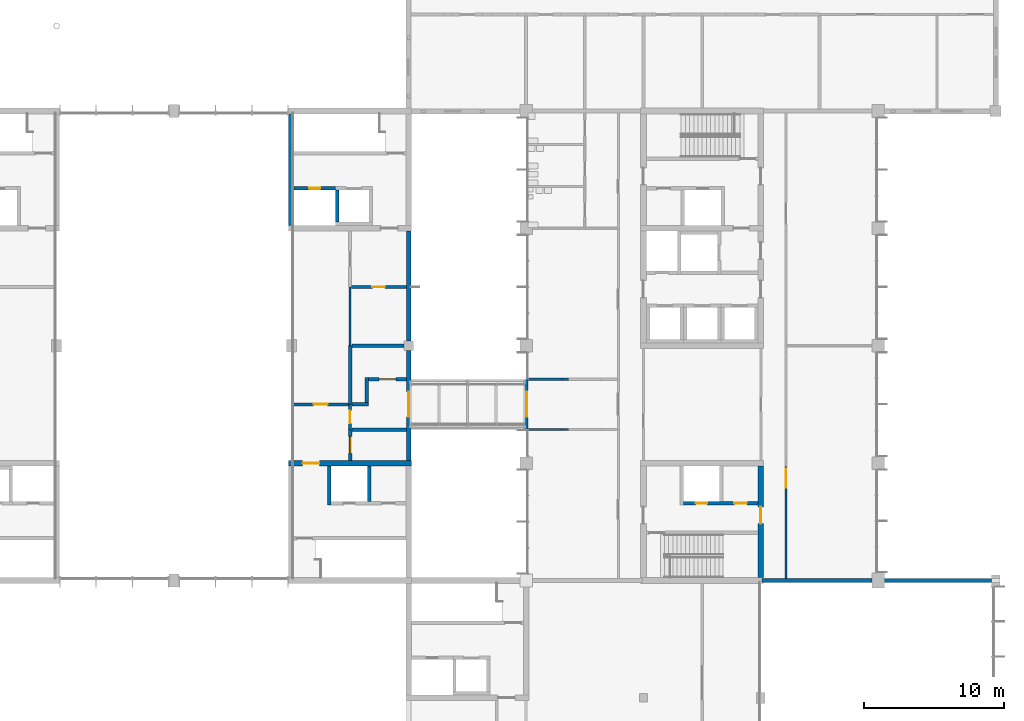
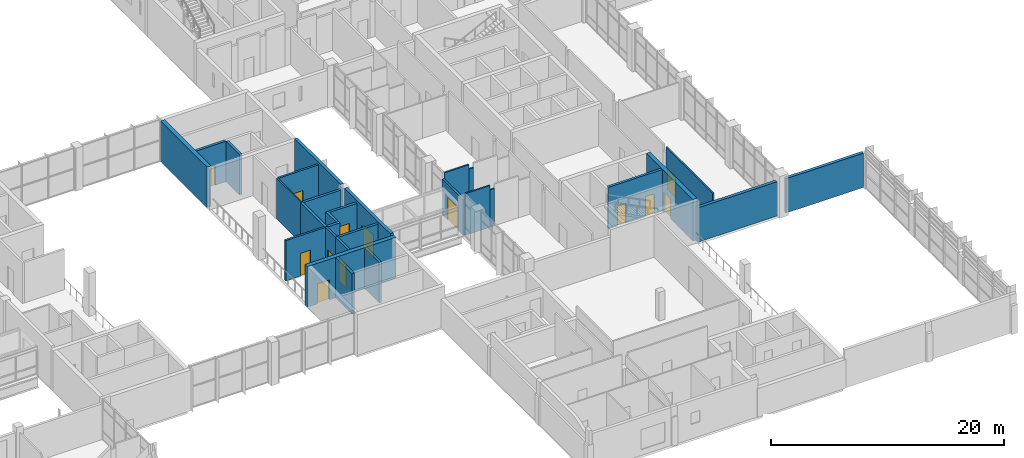
# One storey, part 40 of 70: 29 walls, 13 doors, 13 openings.
"""IFC4 building model written with IfcOpenShell, lengths in metres."""

from ifc_helpers import new_model, si_unit, direction, frame, frame_2d, origin, place, context, subcontext, project, spatial, polyline, rectangle, outline, extrude, material, layer, layer_set, type_object, element, fill, save


model = new_model("IFC4")

# Units and contexts
model_context = context("Model", 3, precision=1e-05, world=origin(), true_north=direction((0.0, 1.0)))
body_context = subcontext(model_context, "Body", "Model", "MODEL_VIEW")
ifc_project = project(units=[si_unit("LENGTHUNIT", "METRE"), si_unit("AREAUNIT", "SQUARE_METRE"), si_unit("VOLUMEUNIT", "CUBIC_METRE"), si_unit("PLANEANGLEUNIT", "RADIAN"), si_unit("MASSUNIT", "GRAM", prefix="KILO")], contexts=[model_context])

# Site, building, storey
site_placement = place(None, origin())
site = spatial("IfcSite", under=ifc_project, at=site_placement, CompositionType="ELEMENT")
building_placement = place(site_placement, origin())
building = spatial("IfcBuilding", under=site, at=building_placement, Name="Hlaing Beacon Police Headquarters", CompositionType="ELEMENT")
storey_placement = place(building_placement, frame((0.0, 0.0, 5.39990234375)))
storey = spatial("IfcBuildingStorey", under=building, at=storey_placement, Name="L01", CompositionType="ELEMENT", Elevation=5.39990234375)

# Wall
ifc_material_1 = material(Name="Concrete C40/50", Category="concrete")
ifc_layer_1 = layer(ifc_material_1, 0.300048828125)
ifc_layer_set_1 = layer_set([ifc_layer_1], Name="Concrete C40/50")
wall_type_1 = type_object("IfcWallType", Name="Compartment wall 300", PredefinedType="SOLIDWALL", material=ifc_layer_set_1)
wall_1_placement = place(storey_placement, frame((117.677734375, 33.60009765625, 0.0), z_axis=(0.0, 0.0, 1.0), x_axis=(1.0, 0.0, 0.0)))
element("IfcWall", 1, at=wall_1_placement, inside=storey, type_object=wall_type_1, Name="Compartment wall L01 S029", PredefinedType="SOLIDWALL", context=body_context, shape_type="SweptSolid", body=[
    extrude(outline(polyline([(0.0, 0.0), (7.892333984375, 0.0), (7.892333984375, 3.60009765625), (7.872314453125, 3.60009765625), (0.122314453125, 3.60009765625), (0.0, 3.60009765625), (0.0, 0.0)])), frame((0.0, 0.14990234375, 0.0), z_axis=(0.0, -1.0, 0.0), x_axis=(1.0, 0.0, 0.0)), (0.0, 0.0, 1.0), 0.300048828125),
])

# Wall, opening, door
ifc_material_2 = material(Name="Concrete C60/75", Category="concrete")
ifc_layer_2 = layer(ifc_material_2, 0.39990234375)
ifc_layer_set_2 = layer_set([ifc_layer_2], Name="Concrete C60/75")
wall_type_2 = type_object("IfcWallType", Name="Core shear wall 400", PredefinedType="SHEAR", material=ifc_layer_set_2)
wall_2_placement = place(storey_placement, frame((83.800048828125, 42.0, 0.0), z_axis=(0.0, 0.0, 1.0), x_axis=(1.0, 0.0, 0.0)))
wall_2 = element("IfcWall", 2, at=wall_2_placement, inside=storey, type_object=wall_type_2, Name="Core shear wall", PredefinedType="SHEAR", context=body_context, shape_type="SweptSolid", body=[
    extrude(rectangle(XDim=8.800048828125, YDim=0.39990234375, at=frame_2d((4.39990234375, 0.0))), origin(), (0.0, 0.0, 1.0), 4.25),
])
opening_1_placement = place(wall_2_placement, frame((1.0, 0.0, 0.0)))
opening_1 = element("IfcOpeningElement", 3, at=opening_1_placement, cuts=wall_2, Name="Opening L01-909", PredefinedType="OPENING", context=body_context, shape_type="SweptSolid", body=[
    extrude(rectangle(XDim=1.199951171875, YDim=2.10009765625, at=frame_2d((0.60009765625, 1.050048828125))), frame((0.0, 0.2099609375, 0.0), z_axis=(0.0, -1.0, 0.0), x_axis=(1.0, 0.0, 0.0)), (0.0, 0.0, 1.0), 0.419921875),
])
ifc_material_3 = material(Name="Steel fire door leaf", Category="steel")
ifc_layer_3 = layer(ifc_material_3, 0.070068359375)
ifc_layer_set_3 = layer_set([ifc_layer_3], Name="Steel fire door leaf")
door_type_1 = type_object("IfcDoorType", Name="Steel fire door FD60S 1200x2100", OperationType="SINGLE_SWING_LEFT", PredefinedType="DOOR", material=ifc_layer_set_3)
door_1_placement = place(opening_1_placement, frame((1.199951171875, 0.0, 0.0), z_axis=(0.0, 0.0, 1.0), x_axis=(-1.0, 0.0, 0.0)))
door_1 = element("IfcDoor", 4, at=door_1_placement, inside=storey, type_object=door_type_1, Name="Door Stair Lobby ST-C Entry", OperationType="SINGLE_SWING_RIGHT", OverallHeight=2.10009765625, OverallWidth=1.199951171875, PredefinedType="DOOR", context=body_context, shape_type="SweptSolid", body=[
    extrude(rectangle(XDim=1.199951171875, YDim=2.10009765625, at=frame_2d((0.599853515625, 1.050048828125))), frame((0.0, 0.034912109375, 0.0), z_axis=(0.0, -1.0, 0.0), x_axis=(1.0, 0.0, 0.0)), (0.0, 0.0, 1.0), 0.070068359375),
])
fill(opening_1, door_1)

# Wall
wall_3_placement = place(storey_placement, frame((84.0, 59.0, 0.0), z_axis=(0.0, 0.0, 1.0), x_axis=(0.0, 1.0, 0.0)))
element("IfcWall", 5, at=wall_3_placement, inside=storey, type_object=wall_type_2, Name="Core shear wall", PredefinedType="SHEAR", context=body_context, shape_type="SweptSolid", body=[
    extrude(rectangle(XDim=8.0, YDim=0.39990234375, at=frame_2d((4.0, 0.0))), origin(), (0.0, 0.0, 1.0), 4.25),
])

# Wall, opening, door
wall_4_placement = place(storey_placement, frame((117.60009765625, 33.800048828125, 0.0), z_axis=(0.0, 0.0, 1.0), x_axis=(0.0, 1.0, 0.0)))
wall_4 = element("IfcWall", 6, at=wall_4_placement, inside=storey, type_object=wall_type_2, Name="Core shear wall", PredefinedType="SHEAR", context=body_context, shape_type="SweptSolid", body=[
    extrude(rectangle(XDim=8.0, YDim=0.39990234375, at=frame_2d((4.0, 0.0))), origin(), (0.0, 0.0, 1.0), 4.3701171875),
])
opening_2_placement = place(wall_4_placement, frame((3.875, 0.0, 0.0)))
opening_2 = element("IfcOpeningElement", 7, at=opening_2_placement, cuts=wall_4, Name="Opening L01-947", PredefinedType="OPENING", context=body_context, shape_type="SweptSolid", body=[
    extrude(rectangle(XDim=1.199951171875, YDim=2.10009765625, at=frame_2d((0.60009765625, 1.050048828125))), frame((0.0, 0.2099609375, 0.0), z_axis=(0.0, -1.0, 0.0), x_axis=(1.0, 0.0, 0.0)), (0.0, 0.0, 1.0), 0.419921875),
])
door_2_placement = place(opening_2_placement, origin())
door_2 = element("IfcDoor", 8, at=door_2_placement, inside=storey, type_object=door_type_1, Name="Door Stair Lobby ST-L Entry", OperationType="SINGLE_SWING_LEFT", OverallHeight=2.10009765625, OverallWidth=1.199951171875, PredefinedType="DOOR", context=body_context, shape_type="SweptSolid", body=[
    extrude(rectangle(XDim=1.199951171875, YDim=2.10009765625, at=frame_2d((0.60009765625, 1.050048828125))), frame((0.0, 0.03515625, 0.0), z_axis=(0.0, -1.0, 0.0), x_axis=(1.0, 0.0, 0.0)), (0.0, 0.0, 1.0), 0.070068359375),
])
fill(opening_2, door_2)

# Walls
ifc_material_4 = material(Name="Gypsum board partition")
ifc_layer_4 = layer(ifc_material_4, 0.14990234375)
ifc_layer_set_4 = layer_set([ifc_layer_4], Name="Gypsum board partition")
wall_type_3 = type_object("IfcWallType", Name="Corridor wall EI 30 150", PredefinedType="PARTITIONING", material=ifc_layer_set_4)
wall_5_placement = place(storey_placement, frame((100.949951171875, 44.39990234375, 0.0), z_axis=(0.0, 0.0, 1.0), x_axis=(1.0, 0.0, 0.0)))
element("IfcWall", 9, at=wall_5_placement, inside=storey, type_object=wall_type_3, Name="Corridor wall EI 30 150", PredefinedType="PARTITIONING", context=body_context, shape_type="SweptSolid", body=[
    extrude(rectangle(XDim=2.420166015625, YDim=0.14990234375, at=frame_2d((1.2099609375, 0.0))), origin(), (0.0, 0.0, 1.0), 4.3701171875),
])
wall_6_placement = place(storey_placement, frame((103.3701171875, 44.39990234375, 0.0), z_axis=(0.0, 0.0, 1.0), x_axis=(1.0, 0.0, 0.0)))
element("IfcWall", 10, at=wall_6_placement, inside=storey, type_object=wall_type_3, Name="Corridor wall EI 30 150", PredefinedType="PARTITIONING", context=body_context, shape_type="SweptSolid", body=[
    extrude(rectangle(XDim=0.4599609375, YDim=0.14990234375, at=frame_2d((0.22998046875, 0.0))), origin(), (0.0, 0.0, 1.0), 3.89501953125),
])
wall_7_placement = place(storey_placement, frame((100.949951171875, 48.0, 0.0), z_axis=(0.0, 0.0, 1.0), x_axis=(1.0, 0.0, 0.0)))
element("IfcWall", 11, at=wall_7_placement, inside=storey, type_object=wall_type_3, Name="Corridor wall EI 30 150", PredefinedType="PARTITIONING", context=body_context, shape_type="SweptSolid", body=[
    extrude(rectangle(XDim=2.420166015625, YDim=0.14990234375, at=frame_2d((1.2099609375, 0.0))), origin(), (0.0, 0.0, 1.0), 4.3701171875),
])
wall_8_placement = place(storey_placement, frame((103.3701171875, 48.0, 0.0), z_axis=(0.0, 0.0, 1.0), x_axis=(1.0, 0.0, 0.0)))
element("IfcWall", 12, at=wall_8_placement, inside=storey, type_object=wall_type_3, Name="Corridor wall EI 30 150", PredefinedType="PARTITIONING", context=body_context, shape_type="SweptSolid", body=[
    extrude(rectangle(XDim=0.4599609375, YDim=0.14990234375, at=frame_2d((0.22998046875, 0.0))), origin(), (0.0, 0.0, 1.0), 3.89501953125),
])

# Wall, opening, door
wall_9_placement = place(storey_placement, frame((119.39990234375, 33.75, 0.0), z_axis=(0.0, 0.0, 1.0), x_axis=(0.0, 1.0, 0.0)))
wall_9 = element("IfcWall", 13, at=wall_9_placement, inside=storey, type_object=wall_type_3, Name="Corridor wall EI 30 150", PredefinedType="PARTITIONING", context=body_context, shape_type="SweptSolid", body=[
    extrude(rectangle(XDim=8.02001953125, YDim=0.14990234375, at=frame_2d((4.010009765625, 0.0))), origin(), (0.0, 0.0, 1.0), 4.3701171875),
])
opening_3_placement = place(wall_9_placement, frame((6.5, 0.0, 0.0)))
opening_3 = element("IfcOpeningElement", 14, at=opening_3_placement, cuts=wall_9, Name="Opening L01-048", PredefinedType="OPENING", context=body_context, shape_type="SweptSolid", body=[
    extrude(rectangle(XDim=1.35009765625, YDim=2.10009765625, at=frame_2d((0.675048828125, 1.050048828125))), frame((0.0, 0.0849609375, 0.0), z_axis=(0.0, -1.0, 0.0), x_axis=(1.0, 0.0, 0.0)), (0.0, 0.0, 1.0), 0.169921875),
])
ifc_material_5 = material(Name="Hardwood door leaf", Category="wood")
ifc_layer_5 = layer(ifc_material_5, 0.050048828125)
ifc_layer_set_5 = layer_set([ifc_layer_5], Name="Hardwood door leaf")
door_type_2 = type_object("IfcDoorType", Name="Fire leaf-and-a-half door FD30S 1350x2100", OperationType="DOUBLE_DOOR_SINGLE_SWING", PredefinedType="DOOR", material=ifc_layer_set_5)
door_3_placement = place(opening_3_placement, frame((1.35009765625, 0.0, 0.0), z_axis=(0.0, 0.0, 1.0), x_axis=(-1.0, 0.0, 0.0)))
door_3 = element("IfcDoor", 15, at=door_3_placement, inside=storey, type_object=door_type_2, Name="Door Traffic Unit Office", OperationType="DOUBLE_DOOR_SINGLE_SWING", OverallHeight=2.10009765625, OverallWidth=1.35009765625, PredefinedType="DOOR", context=body_context, shape_type="SweptSolid", body=[
    extrude(rectangle(XDim=1.35009765625, YDim=2.10009765625, at=frame_2d((0.675048828125, 1.050048828125))), frame((0.0, 0.025146484375, 0.0), z_axis=(0.0, -1.0, 0.0), x_axis=(1.0, 0.0, 0.0)), (0.0, 0.0, 1.0), 0.050048828125),
])
fill(opening_3, door_3)

ifc_material_6 = material(Name="Insulated aluminium cladding system", Category="aluminium")
ifc_layer_6 = layer(ifc_material_6, 0.199951171875)
ifc_layer_set_6 = layer_set([ifc_layer_6], Name="Insulated aluminium cladding system")
wall_type_4 = type_object("IfcWallType", Name="Insulated aluminium clad wall 200", PredefinedType="SOLIDWALL", material=ifc_layer_set_6)
wall_10_placement = place(storey_placement, frame((100.85009765625, 48.0, 0.0), z_axis=(0.0, 0.0, 1.0), x_axis=(0.0, -1.0, 0.0)))
wall_10 = element("IfcWall", 16, at=wall_10_placement, inside=storey, type_object=wall_type_4, Name="External wall L01 W041", PredefinedType="SOLIDWALL", context=body_context, shape_type="SweptSolid", body=[
    extrude(rectangle(XDim=3.60009765625, YDim=0.199951171875, at=frame_2d((1.800048828125, 0.0))), origin(), (0.0, 0.0, 1.0), 3.74609375),
])
opening_4_placement = place(wall_10_placement, frame((0.89990234375, 0.0, 0.0)))
opening_4 = element("IfcOpeningElement", 17, at=opening_4_placement, cuts=wall_10, Name="Opening L01-802", PredefinedType="OPENING", context=body_context, shape_type="SweptSolid", body=[
    extrude(rectangle(XDim=1.800048828125, YDim=2.39990234375, at=frame_2d((0.89990234375, 1.199951171875))), frame((0.0, 0.10986328125, 0.0), z_axis=(0.0, -1.0, 0.0), x_axis=(1.0, 0.0, 0.0)), (0.0, 0.0, 1.0), 0.219970703125),
])
ifc_material_7 = material(Name="Aluminium framed glazed door", Category="aluminium")
door_type_3 = type_object("IfcDoorType", Name="Entrance door 1800x2400 double", OperationType="DOUBLE_DOOR_DOUBLE_SWING", PredefinedType="DOOR", material=ifc_material_7)
door_4_placement = place(opening_4_placement, frame((1.800048828125, 0.0, 0.0), z_axis=(0.0, 0.0, 1.0), x_axis=(-1.0, 0.0, 0.0)))
door_4 = element("IfcDoor", 18, at=door_4_placement, inside=storey, type_object=door_type_3, Name="Door Bridge BR2 east door", OperationType="DOUBLE_DOOR_DOUBLE_SWING", OverallHeight=2.39990234375, OverallWidth=1.800048828125, PredefinedType="DOOR", context=body_context, shape_type="SweptSolid", body=[
    extrude(rectangle(XDim=1.800048828125, YDim=2.39990234375, at=frame_2d((0.900146484375, 1.199951171875))), frame((0.0, 0.025146484375, 0.0), z_axis=(0.0, -1.0, 0.0), x_axis=(1.0, 0.0, 0.0)), (0.0, 0.0, 1.0), 0.050048828125),
])
fill(opening_4, door_4)

ifc_material_8 = material(Name="Concrete blockwork 7.5 N/mm2", Category="masonry")
ifc_layer_7 = layer(ifc_material_8, 0.199951171875)
ifc_layer_set_7 = layer_set([ifc_layer_7], Name="Concrete blockwork 7.5 N/mm2")
wall_type_5 = type_object("IfcWallType", Name="Lobby wall EI 120 200", PredefinedType="PARTITIONING", material=ifc_layer_set_7)
wall_11_placement = place(storey_placement, frame((88.199951171875, 44.39990234375, 0.0), z_axis=(0.0, 0.0, 1.0), x_axis=(0.0, 1.0, 0.0)))
wall_11 = element("IfcWall", 19, at=wall_11_placement, inside=storey, type_object=wall_type_5, Name="Lobby wall EI 120 200", PredefinedType="PARTITIONING", context=body_context, shape_type="SweptSolid", body=[
    extrude(rectangle(XDim=1.800048828125, YDim=0.199951171875, at=frame_2d((0.89990234375, 0.0))), origin(), (0.0, 0.0, 1.0), 4.25),
])
opening_5_placement = place(wall_11_placement, frame((0.449951171875, 0.0, 0.0)))
opening_5 = element("IfcOpeningElement", 20, at=opening_5_placement, cuts=wall_11, Name="Opening L01-002", PredefinedType="OPENING", context=body_context, shape_type="SweptSolid", body=[
    extrude(rectangle(XDim=0.89990234375, YDim=2.10009765625, at=frame_2d((0.449951171875, 1.050048828125))), frame((0.0, 0.10986328125, 0.0), z_axis=(0.0, -1.0, 0.0), x_axis=(1.0, 0.0, 0.0)), (0.0, 0.0, 1.0), 0.219970703125),
])
ifc_material_9 = material(Name="Hardwood door leaf", Category="wood")
ifc_layer_8 = layer(ifc_material_9, 0.06005859375)
ifc_layer_set_8 = layer_set([ifc_layer_8], Name="Hardwood door leaf")
door_type_4 = type_object("IfcDoorType", Name="Fire door FD60S 900x2100", OperationType="SINGLE_SWING_LEFT", PredefinedType="DOOR", material=ifc_layer_set_8)
door_5_placement = place(opening_5_placement, frame((0.89990234375, 0.0, 0.0), z_axis=(0.0, 0.0, 1.0), x_axis=(-1.0, 0.0, 0.0)))
door_5 = element("IfcDoor", 21, at=door_5_placement, inside=storey, type_object=door_type_4, Name="Door Bridge Landing", OperationType="SINGLE_SWING_RIGHT", OverallHeight=2.10009765625, OverallWidth=0.89990234375, PredefinedType="DOOR", context=body_context, shape_type="SweptSolid", body=[
    extrude(rectangle(XDim=0.89990234375, YDim=2.10009765625, at=frame_2d((0.449951171875, 1.050048828125))), frame((0.0, 0.030029296875, 0.0), z_axis=(0.0, -1.0, 0.0), x_axis=(1.0, 0.0, 0.0)), (0.0, 0.0, 1.0), 0.06005859375),
])
fill(opening_5, door_5)

wall_12_placement = place(storey_placement, frame((88.300048828125, 54.60009765625, 0.0), z_axis=(0.0, 0.0, 1.0), x_axis=(1.0, 0.0, 0.0)))
wall_12 = element("IfcWall", 22, at=wall_12_placement, inside=storey, type_object=wall_type_5, Name="Lobby wall EI 120 200", PredefinedType="PARTITIONING", context=body_context, shape_type="SweptSolid", body=[
    extrude(rectangle(XDim=3.949951171875, YDim=0.199951171875, at=frame_2d((1.97509765625, 0.0))), origin(), (0.0, 0.0, 1.0), 4.25),
])
opening_6_placement = place(wall_12_placement, frame((1.5, 0.0, 0.0)))
opening_6 = element("IfcOpeningElement", 23, at=opening_6_placement, cuts=wall_12, Name="Opening L01-005", PredefinedType="OPENING", context=body_context, shape_type="SweptSolid", body=[
    extrude(rectangle(XDim=0.89990234375, YDim=2.10009765625, at=frame_2d((0.449951171875, 1.050048828125))), frame((0.0, 0.10986328125, 0.0), z_axis=(0.0, -1.0, 0.0), x_axis=(1.0, 0.0, 0.0)), (0.0, 0.0, 1.0), 0.219970703125),
])
door_6_placement = place(opening_6_placement, frame((0.89990234375, 0.0, 0.0), z_axis=(0.0, 0.0, 1.0), x_axis=(-1.0, 0.0, 0.0)))
door_6 = element("IfcDoor", 24, at=door_6_placement, inside=storey, type_object=door_type_4, Name="Door Hall Store", OperationType="SINGLE_SWING_LEFT", OverallHeight=2.10009765625, OverallWidth=0.89990234375, PredefinedType="DOOR", context=body_context, shape_type="SweptSolid", body=[
    extrude(rectangle(XDim=0.89990234375, YDim=2.10009765625, at=frame_2d((0.449951171875, 1.050048828125))), frame((0.0, 0.030029296875, 0.0), z_axis=(0.0, -1.0, 0.0), x_axis=(1.0, 0.0, 0.0)), (0.0, 0.0, 1.0), 0.06005859375),
])
fill(opening_6, door_6)

wall_13_placement = place(storey_placement, frame((84.14990234375, 46.199951171875, 0.0), z_axis=(0.0, 0.0, 1.0), x_axis=(1.0, 0.0, 0.0)))
wall_13 = element("IfcWall", 25, at=wall_13_placement, inside=storey, type_object=wall_type_5, Name="Lobby wall EI 120 200", PredefinedType="PARTITIONING", context=body_context, shape_type="SweptSolid", body=[
    extrude(rectangle(XDim=3.925048828125, YDim=0.199951171875, at=frame_2d((1.96240234375, 0.0))), origin(), (0.0, 0.0, 1.0), 4.25),
])
opening_7_placement = place(wall_13_placement, frame((1.449951171875, 0.0, 0.0)))
opening_7 = element("IfcOpeningElement", 26, at=opening_7_placement, cuts=wall_13, Name="Opening L01-007", PredefinedType="OPENING", context=body_context, shape_type="SweptSolid", body=[
    extrude(rectangle(XDim=1.0, YDim=2.39990234375, at=frame_2d((0.5, 1.199951171875))), frame((0.0, 0.10986328125, 0.0), z_axis=(0.0, -1.0, 0.0), x_axis=(1.0, 0.0, 0.0)), (0.0, 0.0, 1.0), 0.219970703125),
])
ifc_material_10 = material(Name="Aluminium frame with safety glazing", Category="aluminium")
ifc_layer_9 = layer(ifc_material_10, 0.070068359375)
ifc_layer_set_9 = layer_set([ifc_layer_9], Name="Aluminium frame with safety glazing")
door_type_5 = type_object("IfcDoorType", Name="Fire glazed public door FD60S 1000x2400", OperationType="SINGLE_SWING_LEFT", PredefinedType="DOOR", material=ifc_layer_set_9)
door_7_placement = place(opening_7_placement, origin())
door_7 = element("IfcDoor", 27, at=door_7_placement, inside=storey, type_object=door_type_5, Name="Door Community Exhibition Gallery East", OperationType="SINGLE_SWING_RIGHT", OverallHeight=2.39990234375, OverallWidth=1.0, PredefinedType="DOOR", context=body_context, shape_type="SweptSolid", body=[
    extrude(rectangle(XDim=1.0, YDim=2.39990234375, at=frame_2d((0.5, 1.199951171875))), frame((0.0, 0.03515625, 0.0), z_axis=(0.0, -1.0, 0.0), x_axis=(1.0, 0.0, 0.0)), (0.0, 0.0, 1.0), 0.070068359375),
])
fill(opening_7, door_7)

# Walls
ifc_material_11 = material(Name="Gypsum board partition")
ifc_layer_10 = layer(ifc_material_11, 0.125)
ifc_layer_set_10 = layer_set([ifc_layer_10], Name="Gypsum board partition")
wall_type_6 = type_object("IfcWallType", Name="Partition 125", PredefinedType="PARTITIONING", material=ifc_layer_set_10)
wall_14_placement = place(storey_placement, frame((88.199951171875, 50.39990234375, 0.0), z_axis=(0.0, 0.0, 1.0), x_axis=(0.0, 1.0, 0.0)))
element("IfcWall", 28, at=wall_14_placement, inside=storey, type_object=wall_type_6, Name="Partition 125", PredefinedType="PARTITIONING", context=body_context, shape_type="SweptSolid", body=[
    extrude(rectangle(XDim=4.2001953125, YDim=0.125, at=frame_2d((2.10009765625, 0.0))), origin(), (0.0, 0.0, 1.0), 4.25),
])
ifc_material_12 = material(Name="Concrete blockwork 7.5 N/mm2", Category="masonry")
ifc_layer_11 = layer(ifc_material_12, 0.25)
ifc_layer_set_11 = layer_set([ifc_layer_11], Name="Concrete blockwork 7.5 N/mm2")
wall_type_7 = type_object("IfcWallType", Name="Plant room wall EI 120 250", PredefinedType="PARTITIONING", material=ifc_layer_set_11)
wall_15_placement = place(storey_placement, frame((88.324951171875, 46.199951171875, 0.0), z_axis=(0.0, 0.0, 1.0), x_axis=(1.0, 0.0, 0.0)))
element("IfcWall", 29, at=wall_15_placement, inside=storey, type_object=wall_type_7, Name="Plant room wall EI 120 250", PredefinedType="PARTITIONING", context=body_context, shape_type="SweptSolid", body=[
    extrude(rectangle(XDim=1.199951171875, YDim=0.25, at=frame_2d((0.60009765625, 0.0))), origin(), (0.0, 0.0, 1.0), 4.25),
])
wall_16_placement = place(storey_placement, frame((89.39990234375, 46.324951171875, 0.0), z_axis=(0.0, 0.0, 1.0), x_axis=(0.0, 1.0, 0.0)))
element("IfcWall", 30, at=wall_16_placement, inside=storey, type_object=wall_type_7, Name="Plant room wall EI 120 250", PredefinedType="PARTITIONING", context=body_context, shape_type="SweptSolid", body=[
    extrude(rectangle(XDim=1.800048828125, YDim=0.25, at=frame_2d((0.89990234375, 0.0))), origin(), (0.0, 0.0, 1.0), 4.25),
])

# Wall, opening, door
wall_17_placement = place(storey_placement, frame((89.52490234375, 48.0, 0.0), z_axis=(0.0, 0.0, 1.0), x_axis=(1.0, 0.0, 0.0)))
wall_17 = element("IfcWall", 31, at=wall_17_placement, inside=storey, type_object=wall_type_7, Name="Plant room wall EI 120 250", PredefinedType="PARTITIONING", context=body_context, shape_type="SweptSolid", body=[
    extrude(rectangle(XDim=2.72509765625, YDim=0.25, at=frame_2d((1.362548828125, 0.0))), origin(), (0.0, 0.0, 1.0), 4.25),
])
opening_8_placement = place(wall_17_placement, frame((0.75, 0.0, 0.0)))
opening_8 = element("IfcOpeningElement", 32, at=opening_8_placement, cuts=wall_17, Name="Opening L01-003", PredefinedType="OPENING", context=body_context, shape_type="SweptSolid", body=[
    extrude(rectangle(XDim=1.199951171875, YDim=2.39990234375, at=frame_2d((0.60009765625, 1.199951171875))), frame((0.0, 0.135009765625, 0.0), z_axis=(0.0, -1.0, 0.0), x_axis=(1.0, 0.0, 0.0)), (0.0, 0.0, 1.0), 0.27001953125),
])
ifc_material_13 = material(Name="Steel fire door leaf", Category="steel")
ifc_layer_12 = layer(ifc_material_13, 0.10009765625)
ifc_layer_set_12 = layer_set([ifc_layer_12], Name="Steel fire door leaf")
door_type_6 = type_object("IfcDoorType", Name="Steel plant door FD120 1200x2400", OperationType="SINGLE_SWING_LEFT", PredefinedType="DOOR", material=ifc_layer_set_12)
door_8_placement = place(opening_8_placement, origin())
door_8 = element("IfcDoor", 33, at=door_8_placement, inside=storey, type_object=door_type_6, Name="Door Hall Plant Room", OperationType="SINGLE_SWING_LEFT", OverallHeight=2.39990234375, OverallWidth=1.199951171875, PredefinedType="DOOR", context=body_context, shape_type="SweptSolid", body=[
    extrude(rectangle(XDim=1.199951171875, YDim=2.39990234375, at=frame_2d((0.60009765625, 1.199951171875))), frame((0.0, 0.050048828125, 0.0), z_axis=(0.0, -1.0, 0.0), x_axis=(1.0, 0.0, 0.0)), (0.0, 0.0, 1.0), 0.10009765625),
])
fill(opening_8, door_8)

# Wall
wall_18_placement = place(storey_placement, frame((88.324951171875, 44.39990234375, 0.0), z_axis=(0.0, 0.0, 1.0), x_axis=(1.0, 0.0, 0.0)))
element("IfcWall", 34, at=wall_18_placement, inside=storey, type_object=wall_type_7, Name="Plant room wall EI 120 250", PredefinedType="PARTITIONING", context=body_context, shape_type="SweptSolid", body=[
    extrude(rectangle(XDim=3.925048828125, YDim=0.25, at=frame_2d((1.96240234375, 0.0))), origin(), (0.0, 0.0, 1.0), 4.25),
])

# Wall, opening, door
wall_19_placement = place(storey_placement, frame((88.199951171875, 42.199951171875, 0.0), z_axis=(0.0, 0.0, 1.0), x_axis=(0.0, 1.0, 0.0)))
wall_19 = element("IfcWall", 35, at=wall_19_placement, inside=storey, type_object=wall_type_7, Name="Plant room wall EI 120 250", PredefinedType="PARTITIONING", context=body_context, shape_type="SweptSolid", body=[
    extrude(rectangle(XDim=2.199951171875, YDim=0.25, at=frame_2d((1.10009765625, 0.0))), origin(), (0.0, 0.0, 1.0), 4.25),
])
opening_9_placement = place(wall_19_placement, frame((0.5, 0.0, 0.0)))
opening_9 = element("IfcOpeningElement", 36, at=opening_9_placement, cuts=wall_19, Name="Opening L01-004", PredefinedType="OPENING", context=body_context, shape_type="SweptSolid", body=[
    extrude(rectangle(XDim=1.199951171875, YDim=2.39990234375, at=frame_2d((0.60009765625, 1.199951171875))), frame((0.0, 0.135009765625, 0.0), z_axis=(0.0, -1.0, 0.0), x_axis=(1.0, 0.0, 0.0)), (0.0, 0.0, 1.0), 0.27001953125),
])
door_9_placement = place(opening_9_placement, frame((1.199951171875, 0.0, 0.0), z_axis=(0.0, 0.0, 1.0), x_axis=(-1.0, 0.0, 0.0)))
door_9 = element("IfcDoor", 37, at=door_9_placement, inside=storey, type_object=door_type_6, Name="Door Hall Plant Room Annex", OperationType="SINGLE_SWING_RIGHT", OverallHeight=2.39990234375, OverallWidth=1.199951171875, PredefinedType="DOOR", context=body_context, shape_type="SweptSolid", body=[
    extrude(rectangle(XDim=1.199951171875, YDim=2.39990234375, at=frame_2d((0.599853515625, 1.199951171875))), frame((0.0, 0.050048828125, 0.0), z_axis=(0.0, -1.0, 0.0), x_axis=(1.0, 0.0, 0.0)), (0.0, 0.0, 1.0), 0.10009765625),
])
fill(opening_9, door_9)

# Walls
wall_20_placement = place(storey_placement, frame((88.324951171875, 50.39990234375, 0.0), z_axis=(0.0, 0.0, 1.0), x_axis=(1.0, 0.0, 0.0)))
element("IfcWall", 38, at=wall_20_placement, inside=storey, type_object=wall_type_7, Name="Plant room wall EI 120 250", PredefinedType="PARTITIONING", context=body_context, shape_type="SweptSolid", body=[
    extrude(rectangle(XDim=3.72509765625, YDim=0.25, at=frame_2d((1.862548828125, 0.0))), origin(), (0.0, 0.0, 1.0), 4.25),
])
wall_21_placement = place(storey_placement, frame((88.199951171875, 46.199951171875, 0.0), z_axis=(0.0, 0.0, 1.0), x_axis=(0.0, 1.0, 0.0)))
element("IfcWall", 39, at=wall_21_placement, inside=storey, type_object=wall_type_7, Name="Plant room wall EI 120 250", PredefinedType="PARTITIONING", context=body_context, shape_type="SweptSolid", body=[
    extrude(rectangle(XDim=4.199951171875, YDim=0.25, at=frame_2d((2.10009765625, 0.0))), origin(), (0.0, 0.0, 1.0), 4.25),
])
ifc_material_14 = material(Name="Concrete C40/50 precast ribbed cladding", Category="concrete")
ifc_layer_13 = layer(ifc_material_14, 0.300048828125)
ifc_layer_set_13 = layer_set([ifc_layer_13], Name="Concrete C40/50 precast ribbed cladding")
wall_type_8 = type_object("IfcWallType", Name="Precast ribbed wall 300", PredefinedType="SOLIDWALL", material=ifc_layer_set_13)
wall_22_placement = place(storey_placement, frame((134.10009765625, 33.60009765625, 0.0), z_axis=(0.0, 0.0, 1.0), x_axis=(-1.0, 0.0, 0.0)))
element("IfcWall", 40, at=wall_22_placement, inside=storey, type_object=wall_type_8, Name="External wall L01 N005", PredefinedType="SOLIDWALL", context=body_context, shape_type="SweptSolid", body=[
    extrude(outline(polyline([(0.0, 0.0), (7.670166015625, 0.0), (7.669921875, 3.60009765625), (7.64990234375, 3.60009765625), (0.0, 3.60009765625), (0.0, 0.0)])), frame((0.0, 0.14990234375, 0.0), z_axis=(0.0, -1.0, 0.0), x_axis=(1.0, 0.0, 0.0)), (0.0, 0.0, 1.0), 0.300048828125),
])

# Wall, opening, door
wall_23_placement = place(storey_placement, frame((92.39990234375, 42.199951171875, 0.0), z_axis=(0.0, 0.0, 1.0), x_axis=(0.0, 1.0, 0.0)))
wall_23 = element("IfcWall", 41, at=wall_23_placement, inside=storey, type_object=wall_type_8, Name="External wall L01 E044", PredefinedType="SOLIDWALL", context=body_context, shape_type="SweptSolid", body=[
    extrude(rectangle(XDim=7.8701171875, YDim=0.300048828125, at=frame_2d((3.93505859375, 0.0))), origin(), (0.0, 0.0, 1.0), 4.5),
])
opening_10_placement = place(wall_23_placement, frame((3.10009765625, 0.0, 0.0)))
opening_10 = element("IfcOpeningElement", 42, at=opening_10_placement, cuts=wall_23, Name="Opening L01-804", PredefinedType="OPENING", context=body_context, shape_type="SweptSolid", body=[
    extrude(rectangle(XDim=1.800048828125, YDim=2.39990234375, at=frame_2d((0.89990234375, 1.199951171875))), frame((0.0, 0.16015625, 0.0), z_axis=(0.0, -1.0, 0.0), x_axis=(1.0, 0.0, 0.0)), (0.0, 0.0, 1.0), 0.320068359375),
])
door_10_placement = place(opening_10_placement, frame((1.800048828125, 0.0, 0.0), z_axis=(0.0, 0.0, 1.0), x_axis=(-1.0, 0.0, 0.0)))
door_10 = element("IfcDoor", 43, at=door_10_placement, inside=storey, type_object=door_type_3, Name="Door Bridge BR2 west door", OperationType="DOUBLE_DOOR_DOUBLE_SWING", OverallHeight=2.39990234375, OverallWidth=1.800048828125, PredefinedType="DOOR", context=body_context, shape_type="SweptSolid", body=[
    extrude(rectangle(XDim=1.800048828125, YDim=2.39990234375, at=frame_2d((0.900146484375, 1.199951171875))), frame((0.0, 0.025146484375, 0.0), z_axis=(0.0, -1.0, 0.0), x_axis=(1.0, 0.0, 0.0)), (0.0, 0.0, 1.0), 0.050048828125),
])
fill(opening_10, door_10)

# Walls
wall_24_placement = place(storey_placement, frame((92.39990234375, 50.72998046875, 0.0), z_axis=(0.0, 0.0, 1.0), x_axis=(0.0, 1.0, 0.0)))
element("IfcWall", 44, at=wall_24_placement, inside=storey, type_object=wall_type_8, Name="External wall L01 E045", PredefinedType="SOLIDWALL", context=body_context, shape_type="SweptSolid", body=[
    extrude(rectangle(XDim=7.8701171875, YDim=0.300048828125, at=frame_2d((3.93505859375, 0.0))), origin(), (0.0, 0.0, 1.0), 4.5),
])
ifc_material_15 = material(Name="Concrete C40/50", Category="concrete")
ifc_layer_14 = layer(ifc_material_15, 0.25)
ifc_layer_set_14 = layer_set([ifc_layer_14], Name="Concrete C40/50")
wall_type_9 = type_object("IfcWallType", Name="Shaft wall 250", PredefinedType="SOLIDWALL", material=ifc_layer_set_14)
wall_25_placement = place(storey_placement, frame((86.72509765625, 39.0, 0.0), z_axis=(0.0, 0.0, 1.0), x_axis=(0.0, 1.0, 0.0)))
element("IfcWall", 45, at=wall_25_placement, inside=storey, type_object=wall_type_9, Name="Lobby wall", PredefinedType="SOLIDWALL", context=body_context, shape_type="SweptSolid", body=[
    extrude(rectangle(XDim=2.800048828125, YDim=0.25, at=frame_2d((1.39990234375, 0.0))), origin(), (0.0, 0.0, 1.0), 4.25),
])
wall_26_placement = place(storey_placement, frame((89.574951171875, 39.25, 0.0), z_axis=(0.0, 0.0, 1.0), x_axis=(0.0, 1.0, 0.0)))
element("IfcWall", 46, at=wall_26_placement, inside=storey, type_object=wall_type_9, Name="Riser wall", PredefinedType="SOLIDWALL", context=body_context, shape_type="SweptSolid", body=[
    extrude(rectangle(XDim=2.550048828125, YDim=0.25, at=frame_2d((1.27490234375, 0.0))), origin(), (0.0, 0.0, 1.0), 4.25),
])

# Wall, opening, door
wall_27_placement = place(storey_placement, frame((87.14990234375, 61.675048828125, 0.0), z_axis=(0.0, 0.0, 1.0), x_axis=(-1.0, 0.0, 0.0)))
wall_27 = element("IfcWall", 47, at=wall_27_placement, inside=storey, type_object=wall_type_9, Name="Lobby wall", PredefinedType="SOLIDWALL", context=body_context, shape_type="SweptSolid", body=[
    extrude(rectangle(XDim=2.949951171875, YDim=0.25, at=frame_2d((1.47509765625, 0.0))), origin(), (0.0, 0.0, 1.0), 4.25),
])
opening_11_placement = place(wall_27_placement, frame((1.074951171875, 0.0, 0.0)))
opening_11 = element("IfcOpeningElement", 48, at=opening_11_placement, cuts=wall_27, Name="Opening L01-913", PredefinedType="OPENING", context=body_context, shape_type="SweptSolid", body=[
    extrude(rectangle(XDim=0.800048828125, YDim=2.10009765625, at=frame_2d((0.39990234375, 1.050048828125))), frame((0.0, 0.135009765625, 0.0), z_axis=(0.0, -1.0, 0.0), x_axis=(1.0, 0.0, 0.0)), (0.0, 0.0, 1.0), 0.27001953125),
])
ifc_material_16 = material(Name="Steel fire door leaf", Category="steel")
ifc_layer_15 = layer(ifc_material_16, 0.070068359375)
ifc_layer_set_15 = layer_set([ifc_layer_15], Name="Steel fire door leaf")
door_type_7 = type_object("IfcDoorType", Name="Steel fire door FD60 800x2100", OperationType="SINGLE_SWING_LEFT", PredefinedType="DOOR", material=ifc_layer_set_15)
door_11_placement = place(opening_11_placement, origin())
door_11 = element("IfcDoor", 49, at=door_11_placement, inside=storey, type_object=door_type_7, Name="Door Services Riser", OperationType="SINGLE_SWING_RIGHT", OverallHeight=2.10009765625, OverallWidth=0.800048828125, PredefinedType="DOOR", context=body_context, shape_type="SweptSolid", body=[
    extrude(rectangle(XDim=0.800048828125, YDim=2.10009765625, at=frame_2d((0.39990234375, 1.050048828125))), frame((0.0, 0.03515625, 0.0), z_axis=(0.0, -1.0, 0.0), x_axis=(1.0, 0.0, 0.0)), (0.0, 0.0, 1.0), 0.070068359375),
])
fill(opening_11, door_11)

# Wall, openings, doors
wall_28_placement = place(storey_placement, frame((112.050048828125, 39.125, 0.0), z_axis=(0.0, 0.0, 1.0), x_axis=(1.0, 0.0, 0.0)))
wall_28 = element("IfcWall", 50, at=wall_28_placement, inside=storey, type_object=wall_type_9, Name="Lobby wall", PredefinedType="SOLIDWALL", context=body_context, shape_type="SweptSolid", body=[
    extrude(rectangle(XDim=5.349853515625, YDim=0.25, at=frame_2d((2.6748046875, 0.0))), origin(), (0.0, 0.0, 1.0), 4.3701171875),
])
opening_12_placement = place(wall_28_placement, frame((3.64990234375, 0.0, 0.0)))
opening_12 = element("IfcOpeningElement", 51, at=opening_12_placement, cuts=wall_28, Name="Opening L01-945", PredefinedType="OPENING", context=body_context, shape_type="SweptSolid", body=[
    extrude(rectangle(XDim=0.89990234375, YDim=2.10009765625, at=frame_2d((0.449951171875, 1.050048828125))), frame((0.0, 0.135009765625, 0.0), z_axis=(0.0, -1.0, 0.0), x_axis=(1.0, 0.0, 0.0)), (0.0, 0.0, 1.0), 0.27001953125),
])
opening_13_placement = place(wall_28_placement, frame((0.89990234375, 0.0, 0.0)))
opening_13 = element("IfcOpeningElement", 52, at=opening_13_placement, cuts=wall_28, Name="Opening L01-948", PredefinedType="OPENING", context=body_context, shape_type="SweptSolid", body=[
    extrude(rectangle(XDim=0.800048828125, YDim=2.10009765625, at=frame_2d((0.39990234375, 1.050048828125))), frame((0.0, 0.135009765625, 0.0), z_axis=(0.0, -1.0, 0.0), x_axis=(1.0, 0.0, 0.0)), (0.0, 0.0, 1.0), 0.27001953125),
])
door_12_placement = place(opening_13_placement, origin())
door_12 = element("IfcDoor", 53, at=door_12_placement, inside=storey, type_object=door_type_7, Name="Door Services Riser", OperationType="SINGLE_SWING_RIGHT", OverallHeight=2.10009765625, OverallWidth=0.800048828125, PredefinedType="DOOR", context=body_context, shape_type="SweptSolid", body=[
    extrude(rectangle(XDim=0.800048828125, YDim=2.10009765625, at=frame_2d((0.39990234375, 1.050048828125))), frame((0.0, 0.03515625, 0.0), z_axis=(0.0, -1.0, 0.0), x_axis=(1.0, 0.0, 0.0)), (0.0, 0.0, 1.0), 0.070068359375),
])
fill(opening_13, door_12)
ifc_material_17 = material(Name="Steel fire door leaf", Category="steel")
ifc_layer_16 = layer(ifc_material_17, 0.070068359375)
ifc_layer_set_16 = layer_set([ifc_layer_16], Name="Steel fire door leaf")
door_type_8 = type_object("IfcDoorType", Name="Steel fire door FD60 900x2100", OperationType="SINGLE_SWING_LEFT", PredefinedType="DOOR", material=ifc_layer_set_16)
door_13_placement = place(opening_12_placement, origin())
door_13 = element("IfcDoor", 54, at=door_13_placement, inside=storey, type_object=door_type_8, Name="Door Cleaners' Store", OperationType="SINGLE_SWING_LEFT", OverallHeight=2.10009765625, OverallWidth=0.89990234375, PredefinedType="DOOR", context=body_context, shape_type="SweptSolid", body=[
    extrude(rectangle(XDim=0.89990234375, YDim=2.10009765625, at=frame_2d((0.449951171875, 1.050048828125))), frame((0.0, 0.03515625, 0.0), z_axis=(0.0, -1.0, 0.0), x_axis=(1.0, 0.0, 0.0)), (0.0, 0.0, 1.0), 0.070068359375),
])
fill(opening_12, door_13)

# Wall
wall_29_placement = place(storey_placement, frame((87.27490234375, 59.25, 0.0), z_axis=(0.0, 0.0, 1.0), x_axis=(0.0, 1.0, 0.0)))
element("IfcWall", 55, at=wall_29_placement, inside=storey, type_object=wall_type_9, Name="Lift shaft wall PL2", PredefinedType="SOLIDWALL", context=body_context, shape_type="SweptSolid", body=[
    extrude(rectangle(XDim=2.300048828125, YDim=0.25, at=frame_2d((1.14990234375, 0.0))), origin(), (0.0, 0.0, 1.0), 4.25),
])

save(model, "model.ifc")
